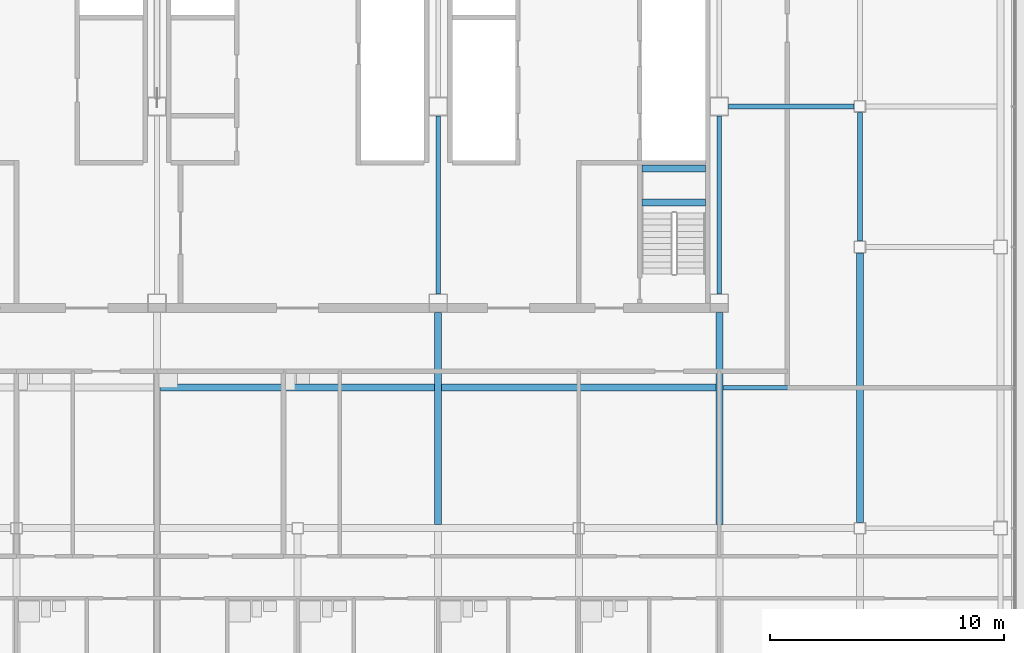
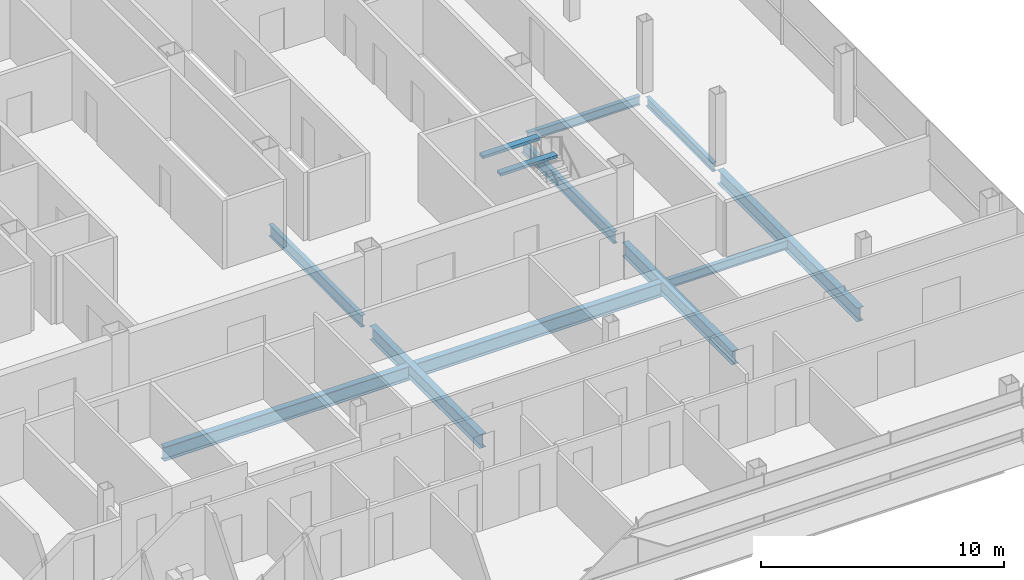
# One storey, part 11 of 28: 12 beams.
"""IFC4 building model written with IfcOpenShell, lengths in metres."""

from ifc_helpers import new_model, si_unit, direction, frame, origin, origin_2d, place, context, subcontext, project, spatial, rectangle, i_section, extrude, material, material_profile, profile_set, type_object, element, save


model = new_model("IFC4")

# Units and contexts
model_context = context("Model", 3, precision=1e-05, world=origin(), true_north=direction((0.0, 1.0)))
body_context = subcontext(model_context, "Body", "Model", "MODEL_VIEW")
ifc_project = project(units=[si_unit("LENGTHUNIT", "METRE"), si_unit("AREAUNIT", "SQUARE_METRE"), si_unit("VOLUMEUNIT", "CUBIC_METRE"), si_unit("PLANEANGLEUNIT", "RADIAN"), si_unit("MASSUNIT", "GRAM", prefix="KILO")], contexts=[model_context])

# Site, building, storey
site_placement = place(None, origin())
site = spatial("IfcSite", under=ifc_project, at=site_placement, CompositionType="ELEMENT")
building_placement = place(site_placement, origin())
building = spatial("IfcBuilding", under=site, at=building_placement, Name="Sorahane Residences", CompositionType="ELEMENT")
storey_placement = place(building_placement, frame((0.0, 0.0, 250.39990234375)))
storey = spatial("IfcBuildingStorey", under=building, at=storey_placement, Name="L59", CompositionType="ELEMENT", Elevation=250.39990234375)

# Beams
ifc_material_1 = material(Name="Concrete C40", Category="concrete")
ifc_material_profile_1 = material_profile(ifc_material_1, rectangle(XDim=0.300048828125, YDim=0.139892578125, at=origin_2d()), Name="300x140")
ifc_profile_set_1 = profile_set([ifc_material_profile_1], Name="Concrete C40")
beam_type_1 = type_object("IfcBeamType", Name="RC landing beam 300 x 140 Concrete C40", PredefinedType="BEAM", material=ifc_profile_set_1)
for number, where, z_axis, x_axis, name in (
    (1, (38.699951171875, 25.89990234375, 1.530029296875), (1.0, 0.0, 0.0), (0.0, 1.0, 0.0), "Landing beam"),
    (2, (38.699951171875, 27.35009765625, 1.530029296875), (1.0, 0.0, 0.0), (0.0, 1.0, 0.0), "Landing beam"),
):
    element("IfcBeam", number, at=place(storey_placement, frame(where, z_axis=z_axis, x_axis=x_axis)), inside=storey, type_object=beam_type_1, Name=name, PredefinedType="BEAM", context=body_context, shape_type="SweptSolid", body=[
        extrude(rectangle(XDim=0.300048828125, YDim=0.139892578125, at=origin_2d()), origin(), (0.0, 0.0, 1.0), 2.699951171875),
    ])
ifc_material_2 = material(Name="Steel Q355B", Category="steel")
ifc_material_profile_2 = material_profile(ifc_material_2, i_section(OverallWidth=0.199951171875, OverallDepth=0.449951171875, WebThickness=0.009033203125, FlangeThickness=0.013916015625, FilletRadius=0.02001953125, at=origin_2d()), Name="HN 450x200x9x14")
ifc_profile_set_2 = profile_set([ifc_material_profile_2], Name="Steel Q355B")
beam_type_2 = type_object("IfcBeamType", Name="Steel floor beam HN 450x200x9x14 Q355B", PredefinedType="BEAM", material=ifc_profile_set_2)
beam_1_placement = place(storey_placement, frame((48.0, 24.25, -0.40478515625), z_axis=(0.0, 1.0, 0.0), x_axis=(-1.0, 0.0, 0.0)))
element("IfcBeam", 3, at=beam_1_placement, inside=storey, type_object=beam_type_2, Name="Beam L59 060", PredefinedType="BEAM", context=body_context, shape_type="SweptSolid", body=[
    extrude(i_section(OverallWidth=0.199951171875, OverallDepth=0.449951171875, WebThickness=0.009033203125, FlangeThickness=0.013916015625, FilletRadius=0.02001953125, at=origin_2d()), origin(), (0.0, 0.0, 1.0), 5.5),
])
beam_2_placement = place(storey_placement, frame((42.14990234375, 18.0, -0.40478515625), z_axis=(1.0, 0.0, 0.0), x_axis=(0.0, 1.0, 0.0)))
element("IfcBeam", 4, at=beam_2_placement, inside=storey, type_object=beam_type_2, Name="Beam L59 083", PredefinedType="BEAM", context=body_context, shape_type="SweptSolid", body=[
    extrude(i_section(OverallWidth=0.199951171875, OverallDepth=0.449951171875, WebThickness=0.009033203125, FlangeThickness=0.013916015625, FilletRadius=0.02001953125, at=origin_2d()), origin(), (0.0, 0.0, 1.0), 5.7001953125),
])
beam_3_placement = place(storey_placement, frame((42.39990234375, 30.0, -0.40478515625), z_axis=(1.0, 0.0, 0.0), x_axis=(0.0, 1.0, 0.0)))
element("IfcBeam", 5, at=beam_3_placement, inside=storey, type_object=beam_type_2, Name="Beam L59 087", PredefinedType="BEAM", context=body_context, shape_type="SweptSolid", body=[
    extrude(i_section(OverallWidth=0.199951171875, OverallDepth=0.449951171875, WebThickness=0.009033203125, FlangeThickness=0.013916015625, FilletRadius=0.02001953125, at=origin_2d()), origin(), (0.0, 0.0, 1.0), 5.35009765625),
])
ifc_material_3 = material(Name="Steel Q355B", Category="steel")
ifc_material_profile_3 = material_profile(ifc_material_3, i_section(OverallWidth=0.199951171875, OverallDepth=0.60009765625, WebThickness=0.010986328125, FlangeThickness=0.01708984375, FilletRadius=0.02392578125, at=origin_2d()), Name="HN 600x200x11x17")
ifc_profile_set_3 = profile_set([ifc_material_profile_3], Name="Steel Q355B")
beam_type_3 = type_object("IfcBeamType", Name="Steel floor beam HN 600x200x11x17 Q355B", PredefinedType="BEAM", material=ifc_profile_set_3)
for number, where, z_axis, x_axis, name in (
    (6, (30.0, 22.0, -0.47998046875), (0.0, 1.0, 0.0), (-1.0, 0.0, 0.0), "Beam L59 046"),
    (7, (42.0, 22.0, -0.47998046875), (0.0, 1.0, 0.0), (-1.0, 0.0, 0.0), "Beam L59 054"),
):
    element("IfcBeam", number, at=place(storey_placement, frame(where, z_axis=z_axis, x_axis=x_axis)), inside=storey, type_object=beam_type_3, Name=name, PredefinedType="BEAM", context=body_context, shape_type="SweptSolid", body=[
        extrude(i_section(OverallWidth=0.199951171875, OverallDepth=0.60009765625, WebThickness=0.010986328125, FlangeThickness=0.01708984375, FilletRadius=0.02392578125, at=origin_2d()), origin(), (0.0, 0.0, 1.0), 7.60009765625),
    ])
ifc_material_4 = material(Name="Steel Q355B", Category="steel")
ifc_material_profile_4 = material_profile(ifc_material_4, i_section(OverallWidth=0.300048828125, OverallDepth=0.699951171875, WebThickness=0.012939453125, FlangeThickness=0.02392578125, FilletRadius=0.028076171875, at=origin_2d()), Name="HN 700x300x13x24")
ifc_profile_set_4 = profile_set([ifc_material_profile_4], Name="Steel Q355B")
beam_type_4 = type_object("IfcBeamType", Name="Steel floor beam HN 700x300x13x24 Q355B", PredefinedType="BEAM", material=ifc_profile_set_4)
for number, where, z_axis, x_axis, name in (
    (8, (30.0, 12.14990234375, -0.52978515625), (0.0, 1.0, 0.0), (-1.0, 0.0, 0.0), "Beam L59 045"),
    (9, (42.0, 12.14990234375, -0.52978515625), (0.0, 1.0, 0.0), (-1.0, 0.0, 0.0), "Beam L59 053"),
):
    element("IfcBeam", number, at=place(storey_placement, frame(where, z_axis=z_axis, x_axis=x_axis)), inside=storey, type_object=beam_type_4, Name=name, PredefinedType="BEAM", context=body_context, shape_type="SweptSolid", body=[
        extrude(i_section(OverallWidth=0.300048828125, OverallDepth=0.699951171875, WebThickness=0.012939453125, FlangeThickness=0.02392578125, FilletRadius=0.028076171875, at=origin_2d()), origin(), (0.0, 0.0, 1.0), 9.050048828125),
    ])
beam_4_placement = place(storey_placement, frame((48.0, 12.25, -0.52978515625), z_axis=(0.0, 1.0, 0.0), x_axis=(-1.0, 0.0, 0.0)))
element("IfcBeam", 10, at=beam_4_placement, inside=storey, type_object=beam_type_4, Name="Beam L59 059", PredefinedType="BEAM", context=body_context, shape_type="SweptSolid", body=[
    extrude(i_section(OverallWidth=0.300048828125, OverallDepth=0.699951171875, WebThickness=0.012939453125, FlangeThickness=0.02392578125, FilletRadius=0.028076171875, at=origin_2d()), origin(), (0.0, 0.0, 1.0), 11.5),
])
for number, where, z_axis, x_axis, name in (
    (11, (18.14990234375, 18.0, -0.52978515625), (1.0, 0.0, 0.0), (0.0, 1.0, 0.0), "Beam L59 081"),
    (12, (30.14990234375, 18.0, -0.52978515625), (1.0, 0.0, 0.0), (0.0, 1.0, 0.0), "Beam L59 082"),
):
    element("IfcBeam", number, at=place(storey_placement, frame(where, z_axis=z_axis, x_axis=x_axis)), inside=storey, type_object=beam_type_4, Name=name, PredefinedType="BEAM", context=body_context, shape_type="SweptSolid", body=[
        extrude(i_section(OverallWidth=0.300048828125, OverallDepth=0.699951171875, WebThickness=0.012939453125, FlangeThickness=0.02392578125, FilletRadius=0.028076171875, at=origin_2d()), origin(), (0.0, 0.0, 1.0), 11.7001953125),
    ])

save(model, "model.ifc")
